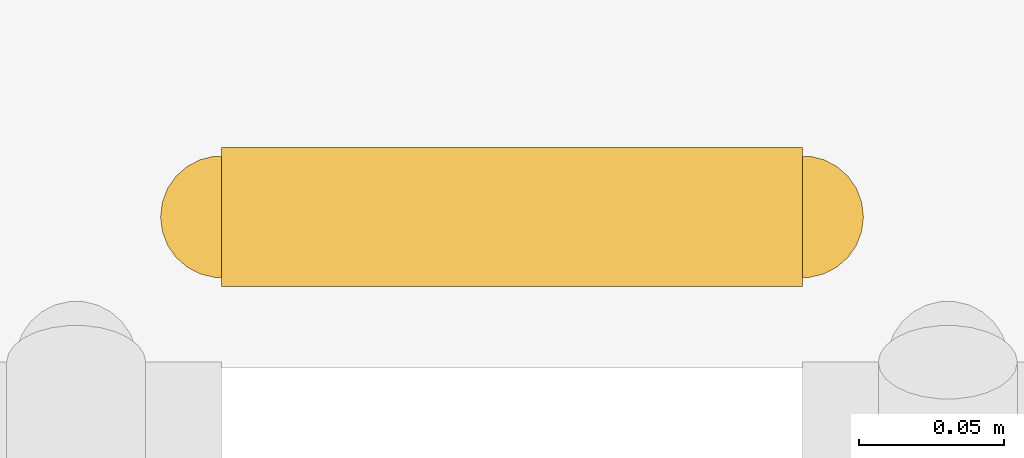
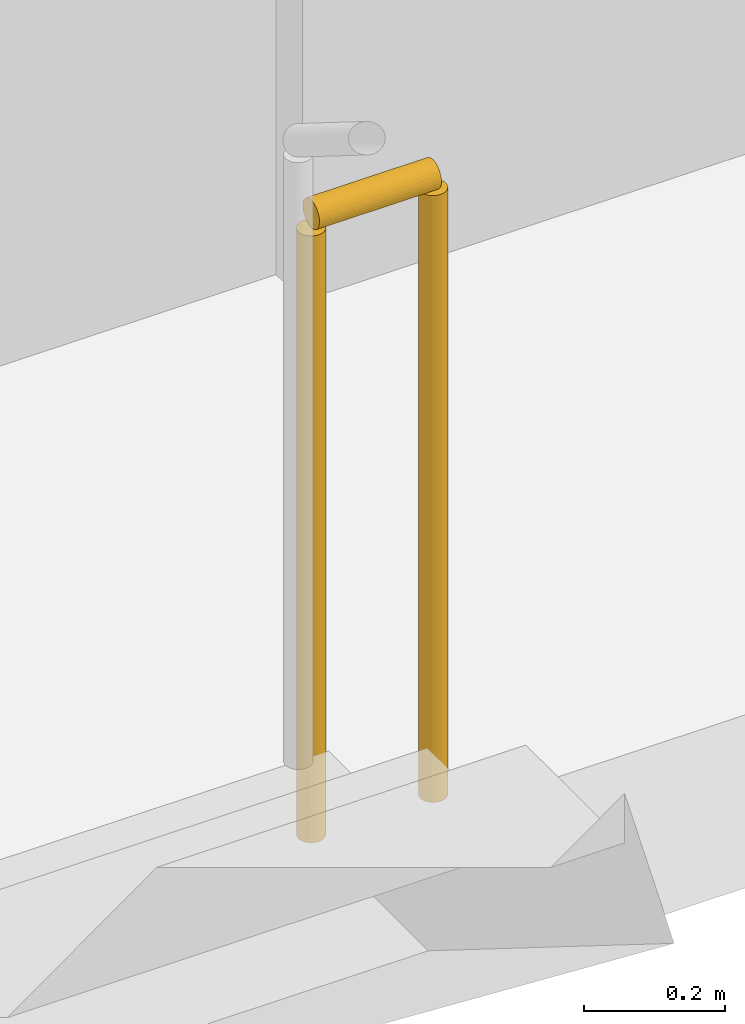
# One storey, part 18 of 20: 1 railing.
"""IFC4 building model written with IfcOpenShell, lengths in metres."""

import ifcopenshell
import ifcopenshell.guid

model = None  # the IFC model being written
_history = None  # IfcOwnerHistory: only IFC2X3 demands one
_inside = {}  # id of a spatial element -> (the spatial element, [elements in it])
_under = {}  # id of a project, library or spatial element -> (it, [spatial elements below it])
_declared = {}  # id of a project -> (the project, [libraries it declares])
_typed = {}  # id of a type object -> (the type object, [elements of that type])
_made_of = {}  # id of a material, layer set ... -> (it, [elements and type objects made of it])


def new_model(schema):
    """Start an empty IFC model of exactly this schema.

    Asked for "IFC4X3", IfcOpenShell would pick the latest addendum, in which some entities
    have other attributes; the version numbers below select the first issue.
    IFC2X3 requires an IfcOwnerHistory on every rooted entity: one is made here for all.
    """
    global model, _history
    if schema == "IFC4X3":
        model = ifcopenshell.file(schema_version=(4, 3, 0, 0))
    else:
        model = ifcopenshell.file(schema=schema)
    _inside.clear()
    _under.clear()
    _declared.clear()
    _typed.clear()
    _made_of.clear()
    _history = None
    if model.schema == "IFC2X3":
        org = make("IfcOrganization", Name="unknown")
        user = make(
            "IfcPersonAndOrganization",
            ThePerson=make("IfcPerson", FamilyName="unknown"),
            TheOrganization=org,
        )
        app = make(
            "IfcApplication",
            ApplicationDeveloper=org,
            Version="unknown",
            ApplicationFullName="unknown",
            ApplicationIdentifier="unknown",
        )
        _history = make(
            "IfcOwnerHistory",
            OwningUser=user,
            OwningApplication=app,
            ChangeAction="ADDED",
            CreationDate=0,
        )
    return model


def make(cls, **values):
    """One entity of the class cls with the attributes given. An attribute that is None is left unset."""
    return model.create_entity(
        cls, **{name: value for name, value in values.items() if value is not None}
    )


def rooted(cls, **values):
    """An entity with a GlobalId (a new one), such as an element, a storey or a relation."""
    return make(cls, GlobalId=ifcopenshell.guid.new(), OwnerHistory=_history, **values)


def si_unit(unit_type, name, prefix=None):
    """IfcSIUnit, for example si_unit("LENGTHUNIT", "METRE", prefix="MILLI")."""
    return make("IfcSIUnit", UnitType=unit_type, Prefix=prefix, Name=name)


def assignment(units):
    """IfcUnitAssignment: the units of a project."""
    return None if units is None else make("IfcUnitAssignment", Units=units)


def point(xyz):
    """IfcCartesianPoint."""
    return None if xyz is None else make("IfcCartesianPoint", Coordinates=xyz)


def direction(xyz):
    """IfcDirection."""
    return None if xyz is None else make("IfcDirection", DirectionRatios=xyz)


def frame(location, z_axis=None, x_axis=None):
    """IfcAxis2Placement3D, a coordinate frame: its origin and axes. An axis left out is left unset."""
    return make(
        "IfcAxis2Placement3D",
        Location=point(location),
        Axis=direction(z_axis),
        RefDirection=direction(x_axis),
    )


def frame_2d(location, x_axis=None):
    """IfcAxis2Placement2D, a coordinate frame in the plane: its origin and x axis."""
    return make(
        "IfcAxis2Placement2D", Location=point(location), RefDirection=direction(x_axis)
    )


def origin():
    """The frame at (0, 0, 0) with its axes left unset."""
    return frame((0.0, 0.0, 0.0))


def origin_2d():
    """The frame at (0, 0) in the plane with its x axis left unset."""
    return frame_2d((0.0, 0.0))


def place(relative_to, where):
    """IfcLocalPlacement: puts the frame where relative to a parent placement (None: the world)."""
    return make(
        "IfcLocalPlacement", PlacementRelTo=relative_to, RelativePlacement=where
    )


def context(
    kind, dimensions, precision=None, world=None, true_north=None, identifier=None
):
    """IfcGeometricRepresentationContext, for example the 3D "Model" context."""
    return make(
        "IfcGeometricRepresentationContext",
        ContextIdentifier=identifier,
        ContextType=kind,
        CoordinateSpaceDimension=dimensions,
        Precision=precision,
        WorldCoordinateSystem=world,
        TrueNorth=true_north,
    )


def subcontext(parent, identifier, kind, view, scale=None):
    """IfcGeometricRepresentationSubContext, for example "Body" below "Model"."""
    return make(
        "IfcGeometricRepresentationSubContext",
        ContextIdentifier=identifier,
        ContextType=kind,
        ParentContext=parent,
        TargetScale=scale,
        TargetView=view,
    )


def project(units=None, contexts=None):
    """IfcProject with its units and contexts."""
    return rooted(
        "IfcProject",
        Name="project",
        RepresentationContexts=contexts,
        UnitsInContext=assignment(units),
    )


def spatial(cls, under=None, at=None, **own):
    """A site, building, storey or space (cls), placed at a placement, below another one or the project."""
    s = rooted(cls, ObjectPlacement=at, **own)
    if under is not None:
        _under.setdefault(under.id(), (under, []))[1].append(s)
    return s


def profile(cls, at=None, kind="AREA", **sizes):
    """A parametric profile (cls). Its sizes go by their IFC names, for example OverallWidth=200.0."""
    return make(cls, ProfileType=kind, Position=at, **sizes)


def circle(**sizes):
    """IfcCircleProfileDef."""
    return profile("IfcCircleProfileDef", **sizes)


def extrude(swept, where, along, depth):
    """IfcExtrudedAreaSolid: the profile swept, set in the frame where, extruded along a direction by depth."""
    return make(
        "IfcExtrudedAreaSolid",
        SweptArea=swept,
        Position=where,
        ExtrudedDirection=direction(along),
        Depth=depth,
    )


def shape(context_of_items, identifier, shape_type, items):
    """IfcShapeRepresentation: the items that make up one representation, for example the "Body"."""
    return make(
        "IfcShapeRepresentation",
        ContextOfItems=context_of_items,
        RepresentationIdentifier=identifier,
        RepresentationType=shape_type,
        Items=items,
    )


def material(Name=None, Category=None):
    """IfcMaterial."""
    return make("IfcMaterial", Name=Name, Category=Category)


def made_of(thing, what):
    """Note that an element or type object is made of a material, layer set ...; save() writes the relation."""
    if what is not None:
        _made_of.setdefault(what.id(), (what, []))[1].append(thing)
    return thing


def type_object(cls, material=None, **own):
    """A type object (cls), such as IfcWallType, which elements share."""
    return made_of(rooted(cls, **own), material)


def element(
    cls,
    number,
    at=None,
    inside=None,
    cuts=None,
    type_object=None,
    material=None,
    context=None,
    identifier="Body",
    shape_type=None,
    held_by="IfcProductDefinitionShape",
    body=None,
    shapes=None,
    **own,
):
    """One element of the class cls, such as IfcWall. Its Tag is "e" and its number.

    at: its placement. inside: the storey or other place that contains it. cuts: it is an
    opening in that element (IfcRelVoidsElement). A single representation is given by context,
    identifier, shape_type and body (its items); several are given by shapes. held_by: the class
    of the entity that holds the representations. save() writes the other relations.
    """
    e = rooted(cls, Tag="e%d" % number, ObjectPlacement=at, **own)
    if body is not None:
        shapes = [shape(context, identifier, shape_type, body)]
    if shapes is not None:
        e.Representation = make(held_by, Representations=shapes)
    if inside is not None:
        _inside.setdefault(inside.id(), (inside, []))[1].append(e)
    if cuts is not None:
        rooted(
            "IfcRelVoidsElement", RelatingBuildingElement=cuts, RelatedOpeningElement=e
        )
    if type_object is not None:
        _typed.setdefault(type_object.id(), (type_object, []))[1].append(e)
    return made_of(e, material)


def aggregate(whole, parts):
    """IfcRelAggregates: a whole, such as a stair, and the parts it consists of."""
    return rooted("IfcRelAggregates", RelatingObject=whole, RelatedObjects=parts)


def save(model, path):
    """Write the relations noted so far, then the file.

    IfcRelAggregates (storeys below a building ...), IfcRelContainedInSpatialStructure (elements
    in a storey), IfcRelDefinesByType, IfcRelAssociatesMaterial and IfcRelDeclares: one each for
    every whole, place, type object, material and project.
    """
    for whole, parts in _under.values():
        aggregate(whole, parts)
    for where, things in _inside.values():
        rooted(
            "IfcRelContainedInSpatialStructure",
            RelatedElements=things,
            RelatingStructure=where,
        )
    for kind, things in _typed.values():
        rooted("IfcRelDefinesByType", RelatedObjects=things, RelatingType=kind)
    for what, things in _made_of.values():
        rooted("IfcRelAssociatesMaterial", RelatedObjects=things, RelatingMaterial=what)
    for by, libraries in _declared.values():
        rooted("IfcRelDeclares", RelatingContext=by, RelatedDefinitions=libraries)
    model.write(path)


model = new_model("IFC4")

# Units and contexts
model_context = context("Model", 3, precision=1e-05, world=origin(), true_north=direction((0.0, 1.0)))
body_context = subcontext(model_context, "Body", "Model", "MODEL_VIEW")
ifc_project = project(units=[si_unit("LENGTHUNIT", "METRE"), si_unit("AREAUNIT", "SQUARE_METRE"), si_unit("VOLUMEUNIT", "CUBIC_METRE"), si_unit("PLANEANGLEUNIT", "RADIAN"), si_unit("MASSUNIT", "GRAM", prefix="KILO")], contexts=[model_context])

# Site, building, storey
site_placement = place(None, origin())
site = spatial("IfcSite", under=ifc_project, at=site_placement, CompositionType="ELEMENT")
building_placement = place(site_placement, origin())
building = spatial("IfcBuilding", under=site, at=building_placement, Name="Kiln Ring Residences", CompositionType="ELEMENT")
storey_placement = place(building_placement, frame((0.0, 0.0, 37.5)))
storey = spatial("IfcBuildingStorey", under=building, at=storey_placement, Name="L08", CompositionType="ELEMENT", Elevation=37.5)

# Railing
ifc_material = material(Name="Stainless steel", Category="steel")
railing_type = type_object("IfcRailingType", Name="CORE-STAIR-GUARD", PredefinedType="GUARDRAIL", material=ifc_material)
railing_placement = place(storey_placement, frame((-22.199951171875, 8.449951171875, 0.0)))
element("IfcRailing", 1, at=railing_placement, inside=storey, type_object=railing_type, Name="L08 W-STN stair guard 4", PredefinedType="GUARDRAIL", context=body_context, shape_type="SweptSolid", body=[
    extrude(circle(Radius=0.02392578125, at=origin_2d()), frame((0.0, 0.0, 1.076171875), z_axis=(1.0, 0.0, 0.0), x_axis=(0.0, 1.0, 0.0)), (0.0, 0.0, 1.0), 0.199951171875),
    extrude(circle(Radius=0.02099609375, at=origin_2d()), origin(), (0.0, 0.0, 1.0), 1.052001953125),
    extrude(circle(Radius=0.02099609375, at=origin_2d()), frame((0.199951171875, 0.0, 0.0)), (0.0, 0.0, 1.0), 1.052001953125),
])

save(model, "model.ifc")
